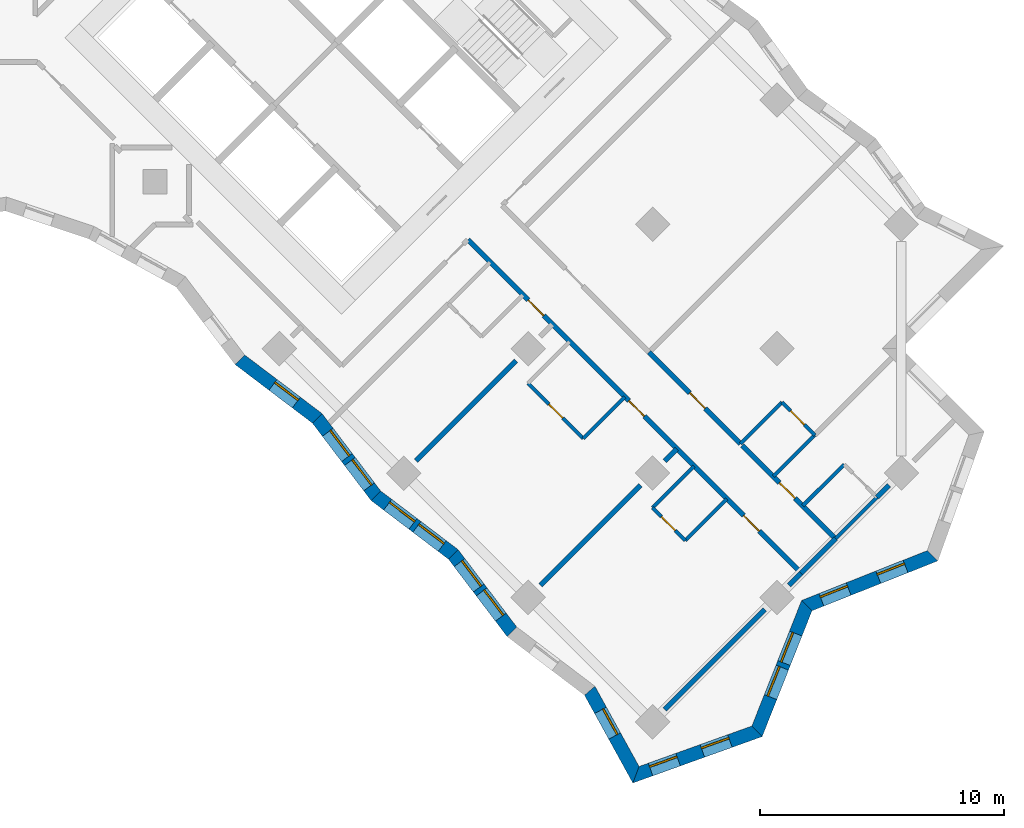
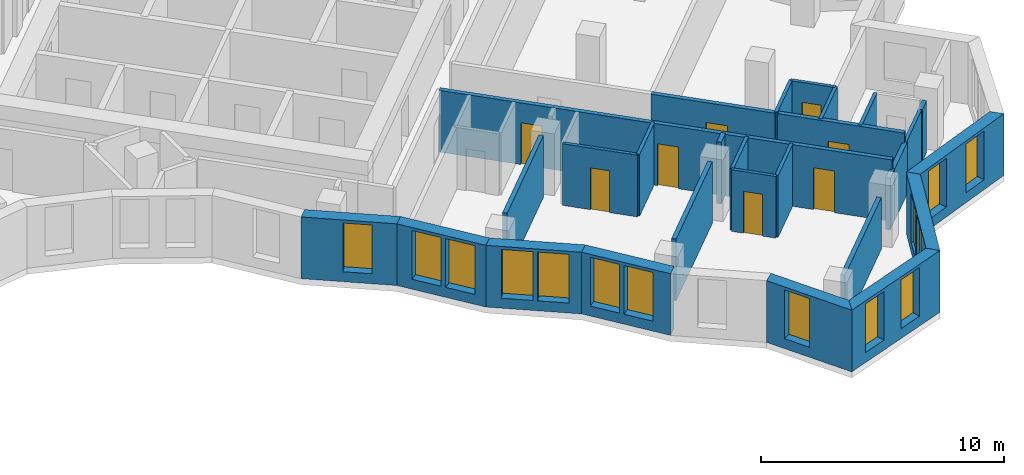
# One storey, part 8 of 13: 28 walls, 14 windows, 8 doors, 22 openings.
"""IFC4 building model written with IfcOpenShell, lengths in metres."""

from ifc_helpers import new_model, si_unit, direction, frame, frame_2d, origin, place, context, subcontext, project, spatial, polyline, rectangle, outline, extrude, material, layer, layer_set, type_object, element, fill, save


model = new_model("IFC4")

# Units and contexts
model_context = context("Model", 3, precision=1e-05, world=origin(), true_north=direction((0.0, 1.0)))
body_context = subcontext(model_context, "Body", "Model", "MODEL_VIEW")
ifc_project = project(units=[si_unit("LENGTHUNIT", "METRE"), si_unit("AREAUNIT", "SQUARE_METRE"), si_unit("VOLUMEUNIT", "CUBIC_METRE"), si_unit("PLANEANGLEUNIT", "RADIAN"), si_unit("MASSUNIT", "GRAM", prefix="KILO")], contexts=[model_context])

# Site, building, storey
site_placement = place(None, origin())
site = spatial("IfcSite", under=ifc_project, at=site_placement, CompositionType="ELEMENT")
building_placement = place(site_placement, origin())
building = spatial("IfcBuilding", under=site, at=building_placement, Name="Windrow Commons", CompositionType="ELEMENT")
storey_placement = place(building_placement, frame((0.0, 0.0, 108.4)))
storey = spatial("IfcBuildingStorey", under=building, at=storey_placement, Name="L29", CompositionType="ELEMENT", Elevation=108.4)

# Wall, openings, windows
ifc_material_1 = material(Name="Brick masonry, red clay brick", Category="masonry")
ifc_layer_1 = layer(ifc_material_1, 0.55)
ifc_layer_set_1 = layer_set([ifc_layer_1], Name="Brick facade wall 550")
wall_type_1 = type_object("IfcWallType", Name="Brick facade wall 550", PredefinedType="SOLIDWALL", material=ifc_layer_set_1)
wall_1_placement = place(storey_placement, frame((98.885, 18.9218, 0.0), z_axis=(0.0, 0.0, 1.0), x_axis=(0.941256607, 0.3376921672, 0.0)))
wall_1 = element("IfcWall", 1, at=wall_1_placement, inside=storey, type_object=wall_type_1, Name="Brick facade wall L29 1", PredefinedType="SOLIDWALL", context=body_context, shape_type="SweptSolid", body=[
    extrude(outline(polyline([(-0.2345, -0.275), (5.3889, -0.275), (5.1402, 0.275), (0.2345, 0.275), (-0.2345, -0.275)])), origin(), (0.0, 0.0, 1.0), 3.1),
])
opening_1_placement = place(wall_1_placement, frame((0.6345, 0.0, 0.5)))
opening_1 = element("IfcOpeningElement", 2, at=opening_1_placement, cuts=wall_1, Name="Opening W7D", PredefinedType="OPENING", context=body_context, shape_type="SweptSolid", body=[
    extrude(rectangle(XDim=1.2, YDim=2.45, at=frame_2d((0.6, 1.225))), frame((0.0, 0.285, 0.0), z_axis=(0.0, -1.0, 0.0), x_axis=(1.0, 0.0, 0.0)), (0.0, 0.0, 1.0), 0.57),
])
opening_2_placement = place(wall_1_placement, frame((2.8873, 0.0, 0.5)))
opening_2 = element("IfcOpeningElement", 3, at=opening_2_placement, cuts=wall_1, Name="Opening W7D", PredefinedType="OPENING", context=body_context, shape_type="SweptSolid", body=[
    extrude(rectangle(XDim=1.2, YDim=2.45, at=frame_2d((0.6, 1.225))), frame((0.0, 0.285, 0.0), z_axis=(0.0, -1.0, 0.0), x_axis=(1.0, 0.0, 0.0)), (0.0, 0.0, 1.0), 0.57),
])
ifc_material_2 = material(Name="Clear float glass in anodised aluminium frame", Category="aluminium")
window_type_1 = type_object("IfcWindowType", Name="Window W7 notch 1200x2450", PartitioningType="SINGLE_PANEL", PredefinedType="WINDOW", material=ifc_material_2)
window_1_placement = place(opening_1_placement, origin())
window_1 = element("IfcWindow", 4, at=window_1_placement, inside=storey, type_object=window_type_1, Name="Window L29 1.1", OverallHeight=2.45, OverallWidth=1.2, PartitioningType="SINGLE_PANEL", PredefinedType="WINDOW", context=body_context, shape_type="SweptSolid", body=[
    extrude(rectangle(XDim=1.2, YDim=2.45, at=frame_2d((0.6, 1.225))), frame((0.0, 0.155, 0.0), z_axis=(0.0, -1.0, 0.0), x_axis=(1.0, 0.0, 0.0)), (0.0, 0.0, 1.0), 0.06),
])
fill(opening_1, window_1)
window_2_placement = place(opening_2_placement, origin())
window_2 = element("IfcWindow", 5, at=window_2_placement, inside=storey, type_object=window_type_1, Name="Window L29 1.2", OverallHeight=2.45, OverallWidth=1.2, PartitioningType="SINGLE_PANEL", PredefinedType="WINDOW", context=body_context, shape_type="SweptSolid", body=[
    extrude(rectangle(XDim=1.2, YDim=2.45, at=frame_2d((0.6, 1.225))), frame((0.0, 0.155, 0.0), z_axis=(0.0, -1.0, 0.0), x_axis=(1.0, 0.0, 0.0)), (0.0, 0.0, 1.0), 0.06),
])
fill(opening_2, window_2)

wall_2_placement = place(storey_placement, frame((103.8403, 20.6996, 0.0), z_axis=(0.0, 0.0, 1.0), x_axis=(0.368236509, 0.9297321514, 0.0)))
wall_2 = element("IfcWall", 6, at=wall_2_placement, inside=storey, type_object=wall_type_1, Name="Brick facade wall L29 2", PredefinedType="SOLIDWALL", context=body_context, shape_type="SweptSolid", body=[
    extrude(outline(polyline([(-0.1243, -0.275), (5.4166, -0.275), (5.6545, 0.275), (0.1243, 0.275), (-0.1243, -0.275)])), origin(), (0.0, 0.0, 1.0), 3.1),
])
opening_3_placement = place(wall_2_placement, frame((1.5045, 0.0, 0.5)))
opening_3 = element("IfcOpeningElement", 7, at=opening_3_placement, cuts=wall_2, Name="Opening W1P", PredefinedType="OPENING", context=body_context, shape_type="SweptSolid", body=[
    extrude(rectangle(XDim=1.3, YDim=2.45, at=frame_2d((0.65, 1.225))), frame((0.0, 0.285, 0.0), z_axis=(0.0, -1.0, 0.0), x_axis=(1.0, 0.0, 0.0)), (0.0, 0.0, 1.0), 0.57),
])
opening_4_placement = place(wall_2_placement, frame((3.0045, 0.0, 0.5)))
opening_4 = element("IfcOpeningElement", 8, at=opening_4_placement, cuts=wall_2, Name="Opening W1P", PredefinedType="OPENING", context=body_context, shape_type="SweptSolid", body=[
    extrude(rectangle(XDim=1.3, YDim=2.45, at=frame_2d((0.65, 1.225))), frame((0.0, 0.285, 0.0), z_axis=(0.0, -1.0, 0.0), x_axis=(1.0, 0.0, 0.0)), (0.0, 0.0, 1.0), 0.57),
])
ifc_material_3 = material(Name="Clear float glass in anodised aluminium frame", Category="aluminium")
window_type_2 = type_object("IfcWindowType", Name="Window W1P pair 1300x2450", PartitioningType="SINGLE_PANEL", PredefinedType="WINDOW", material=ifc_material_3)
window_3_placement = place(opening_3_placement, origin())
window_3 = element("IfcWindow", 9, at=window_3_placement, inside=storey, type_object=window_type_2, Name="Window L29 2.1A", OverallHeight=2.45, OverallWidth=1.3, PartitioningType="SINGLE_PANEL", PredefinedType="WINDOW", context=body_context, shape_type="SweptSolid", body=[
    extrude(rectangle(XDim=1.3, YDim=2.45, at=frame_2d((0.65, 1.225))), frame((0.0, 0.155, 0.0), z_axis=(0.0, -1.0, 0.0), x_axis=(1.0, 0.0, 0.0)), (0.0, 0.0, 1.0), 0.06),
])
fill(opening_3, window_3)
window_4_placement = place(opening_4_placement, origin())
window_4 = element("IfcWindow", 10, at=window_4_placement, inside=storey, type_object=window_type_2, Name="Window L29 2.1B", OverallHeight=2.45, OverallWidth=1.3, PartitioningType="SINGLE_PANEL", PredefinedType="WINDOW", context=body_context, shape_type="SweptSolid", body=[
    extrude(rectangle(XDim=1.3, YDim=2.45, at=frame_2d((0.65, 1.225))), frame((0.0, 0.155, 0.0), z_axis=(0.0, -1.0, 0.0), x_axis=(1.0, 0.0, 0.0)), (0.0, 0.0, 1.0), 0.06),
])
fill(opening_4, window_4)

wall_3_placement = place(storey_placement, frame((105.8787, 25.8462, 0.0), z_axis=(0.0, 0.0, 1.0), x_axis=(0.9297321514, 0.368236509, 0.0)))
wall_3 = element("IfcWall", 11, at=wall_3_placement, inside=storey, type_object=wall_type_1, Name="Brick facade wall L29 3", PredefinedType="SOLIDWALL", context=body_context, shape_type="SweptSolid", body=[
    extrude(outline(polyline([(0.119, -0.275), (5.6599, -0.275), (5.4112, 0.275), (-0.119, 0.275), (0.119, -0.275)])), origin(), (0.0, 0.0, 1.0), 3.1),
])
opening_5_placement = place(wall_3_placement, frame((0.6408, 0.0, 0.5)))
opening_5 = element("IfcOpeningElement", 12, at=opening_5_placement, cuts=wall_3, Name="Opening W7D", PredefinedType="OPENING", context=body_context, shape_type="SweptSolid", body=[
    extrude(rectangle(XDim=1.2, YDim=2.45, at=frame_2d((0.6, 1.225))), frame((0.0, 0.285, 0.0), z_axis=(0.0, -1.0, 0.0), x_axis=(1.0, 0.0, 0.0)), (0.0, 0.0, 1.0), 0.57),
])
opening_6_placement = place(wall_3_placement, frame((3.1464, 0.0, 0.5)))
opening_6 = element("IfcOpeningElement", 13, at=opening_6_placement, cuts=wall_3, Name="Opening W7D", PredefinedType="OPENING", context=body_context, shape_type="SweptSolid", body=[
    extrude(rectangle(XDim=1.2, YDim=2.45, at=frame_2d((0.6, 1.225))), frame((0.0, 0.285, 0.0), z_axis=(0.0, -1.0, 0.0), x_axis=(1.0, 0.0, 0.0)), (0.0, 0.0, 1.0), 0.57),
])
window_5_placement = place(opening_5_placement, origin())
window_5 = element("IfcWindow", 14, at=window_5_placement, inside=storey, type_object=window_type_1, Name="Window L29 3.1", OverallHeight=2.45, OverallWidth=1.2, PartitioningType="SINGLE_PANEL", PredefinedType="WINDOW", context=body_context, shape_type="SweptSolid", body=[
    extrude(rectangle(XDim=1.2, YDim=2.45, at=frame_2d((0.6, 1.225))), frame((0.0, 0.155, 0.0), z_axis=(0.0, -1.0, 0.0), x_axis=(1.0, 0.0, 0.0)), (0.0, 0.0, 1.0), 0.06),
])
fill(opening_5, window_5)
window_6_placement = place(opening_6_placement, origin())
window_6 = element("IfcWindow", 15, at=window_6_placement, inside=storey, type_object=window_type_1, Name="Window L29 3.2", OverallHeight=2.45, OverallWidth=1.2, PartitioningType="SINGLE_PANEL", PredefinedType="WINDOW", context=body_context, shape_type="SweptSolid", body=[
    extrude(rectangle(XDim=1.2, YDim=2.45, at=frame_2d((0.6, 1.225))), frame((0.0, 0.155, 0.0), z_axis=(0.0, -1.0, 0.0), x_axis=(1.0, 0.0, 0.0)), (0.0, 0.0, 1.0), 0.06),
])
fill(opening_6, window_6)

# Wall, opening, window
wall_4_placement = place(storey_placement, frame((82.672, 35.91, 0.0), z_axis=(0.0, 0.0, 1.0), x_axis=(0.7969251465, -0.6040780669, 0.0)))
wall_4 = element("IfcWall", 16, at=wall_4_placement, inside=storey, type_object=wall_type_1, Name="Brick facade wall L29 54", PredefinedType="SOLIDWALL", context=body_context, shape_type="SweptSolid", body=[
    extrude(outline(polyline([(-0.0379, -0.275), (3.9368, -0.275), (4.0126, 0.275), (0.0379, 0.275), (-0.0379, -0.275)])), origin(), (0.0, 0.0, 1.0), 3.1),
])
opening_7_placement = place(wall_4_placement, frame((1.704, 0.0, 0.5)))
opening_7 = element("IfcOpeningElement", 17, at=opening_7_placement, cuts=wall_4, Name="Opening W7D", PredefinedType="OPENING", context=body_context, shape_type="SweptSolid", body=[
    extrude(rectangle(XDim=1.2, YDim=2.45, at=frame_2d((0.6, 1.225))), frame((0.0, 0.285, 0.0), z_axis=(0.0, -1.0, 0.0), x_axis=(1.0, 0.0, 0.0)), (0.0, 0.0, 1.0), 0.57),
])
window_7_placement = place(opening_7_placement, origin())
window_7 = element("IfcWindow", 18, at=window_7_placement, inside=storey, type_object=window_type_1, Name="Window L29 54.1", OverallHeight=2.45, OverallWidth=1.2, PartitioningType="SINGLE_PANEL", PredefinedType="WINDOW", context=body_context, shape_type="SweptSolid", body=[
    extrude(rectangle(XDim=1.2, YDim=2.45, at=frame_2d((0.6, 1.225))), frame((0.0, 0.155, 0.0), z_axis=(0.0, -1.0, 0.0), x_axis=(1.0, 0.0, 0.0)), (0.0, 0.0, 1.0), 0.06),
])
fill(opening_7, window_7)

# Wall, openings, windows
wall_5_placement = place(storey_placement, frame((85.8395, 33.509, 0.0), z_axis=(0.0, 0.0, 1.0), x_axis=(0.6040819333, -0.7969222157, 0.0)))
wall_5 = element("IfcWall", 19, at=wall_5_placement, inside=storey, type_object=wall_type_1, Name="Brick facade wall L29 55", PredefinedType="SOLIDWALL", context=body_context, shape_type="SweptSolid", body=[
    extrude(outline(polyline([(0.0379, -0.275), (4.0126, -0.275), (3.9368, 0.275), (-0.0379, 0.275), (0.0379, -0.275)])), origin(), (0.0, 0.0, 1.0), 3.1),
])
opening_8_placement = place(wall_5_placement, frame((0.7147, 0.0, 0.5)))
opening_8 = element("IfcOpeningElement", 20, at=opening_8_placement, cuts=wall_5, Name="Opening W1P", PredefinedType="OPENING", context=body_context, shape_type="SweptSolid", body=[
    extrude(rectangle(XDim=1.3, YDim=2.45, at=frame_2d((0.65, 1.225))), frame((0.0, 0.285, 0.0), z_axis=(0.0, -1.0, 0.0), x_axis=(1.0, 0.0, 0.0)), (0.0, 0.0, 1.0), 0.57),
])
opening_9_placement = place(wall_5_placement, frame((2.2147, 0.0, 0.5)))
opening_9 = element("IfcOpeningElement", 21, at=opening_9_placement, cuts=wall_5, Name="Opening W1P", PredefinedType="OPENING", context=body_context, shape_type="SweptSolid", body=[
    extrude(rectangle(XDim=1.3, YDim=2.45, at=frame_2d((0.65, 1.225))), frame((0.0, 0.285, 0.0), z_axis=(0.0, -1.0, 0.0), x_axis=(1.0, 0.0, 0.0)), (0.0, 0.0, 1.0), 0.57),
])
window_8_placement = place(opening_8_placement, origin())
window_8 = element("IfcWindow", 22, at=window_8_placement, inside=storey, type_object=window_type_2, Name="Window L29 55.1A", OverallHeight=2.45, OverallWidth=1.3, PartitioningType="SINGLE_PANEL", PredefinedType="WINDOW", context=body_context, shape_type="SweptSolid", body=[
    extrude(rectangle(XDim=1.3, YDim=2.45, at=frame_2d((0.65, 1.225))), frame((0.0, 0.155, 0.0), z_axis=(0.0, -1.0, 0.0), x_axis=(1.0, 0.0, 0.0)), (0.0, 0.0, 1.0), 0.06),
])
fill(opening_8, window_8)
window_9_placement = place(opening_9_placement, origin())
window_9 = element("IfcWindow", 23, at=window_9_placement, inside=storey, type_object=window_type_2, Name="Window L29 55.1B", OverallHeight=2.45, OverallWidth=1.3, PartitioningType="SINGLE_PANEL", PredefinedType="WINDOW", context=body_context, shape_type="SweptSolid", body=[
    extrude(rectangle(XDim=1.3, YDim=2.45, at=frame_2d((0.65, 1.225))), frame((0.0, 0.155, 0.0), z_axis=(0.0, -1.0, 0.0), x_axis=(1.0, 0.0, 0.0)), (0.0, 0.0, 1.0), 0.06),
])
fill(opening_9, window_9)

wall_6_placement = place(storey_placement, frame((88.2406, 30.3414, 0.0), z_axis=(0.0, 0.0, 1.0), x_axis=(0.7969251465, -0.6040780669, 0.0)))
wall_6 = element("IfcWall", 24, at=wall_6_placement, inside=storey, type_object=wall_type_1, Name="Brick facade wall L29 56", PredefinedType="SOLIDWALL", context=body_context, shape_type="SweptSolid", body=[
    extrude(outline(polyline([(-0.0379, -0.275), (3.9368, -0.275), (4.0126, 0.275), (0.0379, 0.275), (-0.0379, -0.275)])), origin(), (0.0, 0.0, 1.0), 3.1),
])
opening_10_placement = place(wall_6_placement, frame((0.6063, 0.0, 0.5)))
opening_10 = element("IfcOpeningElement", 25, at=opening_10_placement, cuts=wall_6, Name="Opening W1P", PredefinedType="OPENING", context=body_context, shape_type="SweptSolid", body=[
    extrude(rectangle(XDim=1.3, YDim=2.45, at=frame_2d((0.65, 1.225))), frame((0.0, 0.285, 0.0), z_axis=(0.0, -1.0, 0.0), x_axis=(1.0, 0.0, 0.0)), (0.0, 0.0, 1.0), 0.57),
])
opening_11_placement = place(wall_6_placement, frame((2.1063, 0.0, 0.5)))
opening_11 = element("IfcOpeningElement", 26, at=opening_11_placement, cuts=wall_6, Name="Opening W1P", PredefinedType="OPENING", context=body_context, shape_type="SweptSolid", body=[
    extrude(rectangle(XDim=1.3, YDim=2.45, at=frame_2d((0.65, 1.225))), frame((0.0, 0.285, 0.0), z_axis=(0.0, -1.0, 0.0), x_axis=(1.0, 0.0, 0.0)), (0.0, 0.0, 1.0), 0.57),
])
window_10_placement = place(opening_10_placement, origin())
window_10 = element("IfcWindow", 27, at=window_10_placement, inside=storey, type_object=window_type_2, Name="Window L29 56.1A", OverallHeight=2.45, OverallWidth=1.3, PartitioningType="SINGLE_PANEL", PredefinedType="WINDOW", context=body_context, shape_type="SweptSolid", body=[
    extrude(rectangle(XDim=1.3, YDim=2.45, at=frame_2d((0.65, 1.225))), frame((0.0, 0.155, 0.0), z_axis=(0.0, -1.0, 0.0), x_axis=(1.0, 0.0, 0.0)), (0.0, 0.0, 1.0), 0.06),
])
fill(opening_10, window_10)
window_11_placement = place(opening_11_placement, origin())
window_11 = element("IfcWindow", 28, at=window_11_placement, inside=storey, type_object=window_type_2, Name="Window L29 56.1B", OverallHeight=2.45, OverallWidth=1.3, PartitioningType="SINGLE_PANEL", PredefinedType="WINDOW", context=body_context, shape_type="SweptSolid", body=[
    extrude(rectangle(XDim=1.3, YDim=2.45, at=frame_2d((0.65, 1.225))), frame((0.0, 0.155, 0.0), z_axis=(0.0, -1.0, 0.0), x_axis=(1.0, 0.0, 0.0)), (0.0, 0.0, 1.0), 0.06),
])
fill(opening_11, window_11)

wall_7_placement = place(storey_placement, frame((91.4081, 27.9404, 0.0), z_axis=(0.0, 0.0, 1.0), x_axis=(0.604094045, -0.7969130347, 0.0)))
wall_7 = element("IfcWall", 29, at=wall_7_placement, inside=storey, type_object=wall_type_1, Name="Brick facade wall L29 57", PredefinedType="SOLIDWALL", context=body_context, shape_type="SweptSolid", body=[
    extrude(outline(polyline([(0.0379, -0.275), (4.0126, -0.275), (3.9368, 0.275), (-0.0379, 0.275), (0.0379, -0.275)])), origin(), (0.0, 0.0, 1.0), 3.1),
])
opening_12_placement = place(wall_7_placement, frame((0.4225, 0.0, 0.5)))
opening_12 = element("IfcOpeningElement", 30, at=opening_12_placement, cuts=wall_7, Name="Opening W1P", PredefinedType="OPENING", context=body_context, shape_type="SweptSolid", body=[
    extrude(rectangle(XDim=1.3, YDim=2.45, at=frame_2d((0.65, 1.225))), frame((0.0, 0.285, 0.0), z_axis=(0.0, -1.0, 0.0), x_axis=(1.0, 0.0, 0.0)), (0.0, 0.0, 1.0), 0.57),
])
opening_13_placement = place(wall_7_placement, frame((1.9225, 0.0, 0.5)))
opening_13 = element("IfcOpeningElement", 31, at=opening_13_placement, cuts=wall_7, Name="Opening W1P", PredefinedType="OPENING", context=body_context, shape_type="SweptSolid", body=[
    extrude(rectangle(XDim=1.3, YDim=2.45, at=frame_2d((0.65, 1.225))), frame((0.0, 0.285, 0.0), z_axis=(0.0, -1.0, 0.0), x_axis=(1.0, 0.0, 0.0)), (0.0, 0.0, 1.0), 0.57),
])
window_12_placement = place(opening_12_placement, origin())
window_12 = element("IfcWindow", 32, at=window_12_placement, inside=storey, type_object=window_type_2, Name="Window L29 57.1A", OverallHeight=2.45, OverallWidth=1.3, PartitioningType="SINGLE_PANEL", PredefinedType="WINDOW", context=body_context, shape_type="SweptSolid", body=[
    extrude(rectangle(XDim=1.3, YDim=2.45, at=frame_2d((0.65, 1.225))), frame((0.0, 0.155, 0.0), z_axis=(0.0, -1.0, 0.0), x_axis=(1.0, 0.0, 0.0)), (0.0, 0.0, 1.0), 0.06),
])
fill(opening_12, window_12)
window_13_placement = place(opening_13_placement, origin())
window_13 = element("IfcWindow", 33, at=window_13_placement, inside=storey, type_object=window_type_2, Name="Window L29 57.1B", OverallHeight=2.45, OverallWidth=1.3, PartitioningType="SINGLE_PANEL", PredefinedType="WINDOW", context=body_context, shape_type="SweptSolid", body=[
    extrude(rectangle(XDim=1.3, YDim=2.45, at=frame_2d((0.65, 1.225))), frame((0.0, 0.155, 0.0), z_axis=(0.0, -1.0, 0.0), x_axis=(1.0, 0.0, 0.0)), (0.0, 0.0, 1.0), 0.06),
])
fill(opening_13, window_13)

# Wall, opening, window
wall_8_placement = place(storey_placement, frame((96.9931, 22.3594, 0.0), z_axis=(0.0, 0.0, 1.0), x_axis=(0.4821574431, -0.876084585, 0.0)))
wall_8 = element("IfcWall", 34, at=wall_8_placement, inside=storey, type_object=wall_type_1, Name="Brick facade wall L29 59", PredefinedType="SOLIDWALL", context=body_context, shape_type="SweptSolid", body=[
    extrude(outline(polyline([(0.0585, -0.275), (4.1583, -0.275), (3.6893, 0.275), (-0.0585, 0.275), (0.0585, -0.275)])), origin(), (0.0, 0.0, 1.0), 3.1),
])
opening_14_placement = place(wall_8_placement, frame((0.9146, 0.0, 0.5)))
opening_14 = element("IfcOpeningElement", 35, at=opening_14_placement, cuts=wall_8, Name="Opening W7D", PredefinedType="OPENING", context=body_context, shape_type="SweptSolid", body=[
    extrude(rectangle(XDim=1.2, YDim=2.45, at=frame_2d((0.6, 1.225))), frame((0.0, 0.285, 0.0), z_axis=(0.0, -1.0, 0.0), x_axis=(1.0, 0.0, 0.0)), (0.0, 0.0, 1.0), 0.57),
])
window_14_placement = place(opening_14_placement, origin())
window_14 = element("IfcWindow", 36, at=window_14_placement, inside=storey, type_object=window_type_1, Name="Window L29 59.1", OverallHeight=2.45, OverallWidth=1.2, PartitioningType="SINGLE_PANEL", PredefinedType="WINDOW", context=body_context, shape_type="SweptSolid", body=[
    extrude(rectangle(XDim=1.2, YDim=2.45, at=frame_2d((0.6, 1.225))), frame((0.0, 0.155, 0.0), z_axis=(0.0, -1.0, 0.0), x_axis=(1.0, 0.0, 0.0)), (0.0, 0.0, 1.0), 0.06),
])
fill(opening_14, window_14)

# Wall, openings, doors
ifc_material_4 = material(Name="Blockwork partition", Category="masonry")
ifc_layer_2 = layer(ifc_material_4, 0.2)
ifc_layer_set_2 = layer_set([ifc_layer_2], Name="IW-CORRIDOR-200")
wall_type_2 = type_object("IfcWallType", Name="IW-CORRIDOR-200", PredefinedType="PARTITIONING", material=ifc_layer_set_2)
wall_9_placement = place(storey_placement, frame((92.0035, 40.8195, 0.0), z_axis=(0.0, 0.0, 1.0), x_axis=(0.7071067812, -0.7071067812, 0.0)))
wall_9 = element("IfcWall", 37, at=wall_9_placement, inside=storey, type_object=wall_type_2, Name="W-L29-W002", PredefinedType="PARTITIONING", context=body_context, shape_type="SweptSolid", body=[
    extrude(rectangle(XDim=19.2984, YDim=0.2, at=frame_2d((9.6492, 0.0))), origin(), (0.0, 0.0, 1.0), 3.1),
])
opening_15_placement = place(wall_9_placement, frame((3.4886, 0.0, 0.0)))
opening_15 = element("IfcOpeningElement", 38, at=opening_15_placement, cuts=wall_9, Name="Opening D109S", PredefinedType="OPENING", context=body_context, shape_type="SweptSolid", body=[
    extrude(rectangle(XDim=0.9, YDim=2.1, at=frame_2d((0.45, 1.05))), frame((0.0, 0.11, 0.0), z_axis=(0.0, -1.0, 0.0), x_axis=(1.0, 0.0, 0.0)), (0.0, 0.0, 1.0), 0.22),
])
opening_16_placement = place(wall_9_placement, frame((9.3186, 0.0, 0.0)))
opening_16 = element("IfcOpeningElement", 39, at=opening_16_placement, cuts=wall_9, Name="Opening D109F", PredefinedType="OPENING", context=body_context, shape_type="SweptSolid", body=[
    extrude(rectangle(XDim=0.9, YDim=2.1, at=frame_2d((0.45, 1.05))), frame((0.0, 0.11, 0.0), z_axis=(0.0, -1.0, 0.0), x_axis=(1.0, 0.0, 0.0)), (0.0, 0.0, 1.0), 0.22),
])
opening_17_placement = place(wall_9_placement, frame((15.9611, 0.0, 0.0)))
opening_17 = element("IfcOpeningElement", 40, at=opening_17_placement, cuts=wall_9, Name="Opening D109F", PredefinedType="OPENING", context=body_context, shape_type="SweptSolid", body=[
    extrude(rectangle(XDim=0.9, YDim=2.1, at=frame_2d((0.45, 1.05))), frame((0.0, 0.11, 0.0), z_axis=(0.0, -1.0, 0.0), x_axis=(1.0, 0.0, 0.0)), (0.0, 0.0, 1.0), 0.22),
])
ifc_material_5 = material(Name="Timber door leaf", Category="wood")
door_type_1 = type_object("IfcDoorType", Name="DT-BEDROOM-900", OperationType="SINGLE_SWING_LEFT", PredefinedType="DOOR", material=ifc_material_5)
door_1_placement = place(opening_15_placement, origin())
door_1 = element("IfcDoor", 41, at=door_1_placement, inside=storey, type_object=door_type_1, Name="D-L29-D047", OperationType="SINGLE_SWING_LEFT", OverallHeight=2.1, OverallWidth=0.9, PredefinedType="DOOR", context=body_context, shape_type="SweptSolid", body=[
    extrude(rectangle(XDim=0.9, YDim=2.1, at=frame_2d((0.45, 1.05))), frame((0.0, 0.025, 0.0), z_axis=(0.0, -1.0, 0.0), x_axis=(1.0, 0.0, 0.0)), (0.0, 0.0, 1.0), 0.05),
])
fill(opening_15, door_1)
door_2_placement = place(opening_16_placement, origin())
door_2 = element("IfcDoor", 42, at=door_2_placement, inside=storey, type_object=door_type_1, Name="D-L29-D049", OperationType="SINGLE_SWING_RIGHT", OverallHeight=2.1, OverallWidth=0.9, PredefinedType="DOOR", context=body_context, shape_type="SweptSolid", body=[
    extrude(rectangle(XDim=0.9, YDim=2.1, at=frame_2d((0.45, 1.05))), frame((0.0, 0.025, 0.0), z_axis=(0.0, -1.0, 0.0), x_axis=(1.0, 0.0, 0.0)), (0.0, 0.0, 1.0), 0.05),
])
fill(opening_16, door_2)
door_3_placement = place(opening_17_placement, origin())
door_3 = element("IfcDoor", 43, at=door_3_placement, inside=storey, type_object=door_type_1, Name="D-L29-D051", OperationType="SINGLE_SWING_RIGHT", OverallHeight=2.1, OverallWidth=0.9, PredefinedType="DOOR", context=body_context, shape_type="SweptSolid", body=[
    extrude(rectangle(XDim=0.9, YDim=2.1, at=frame_2d((0.45, 1.05))), frame((0.0, 0.025, 0.0), z_axis=(0.0, -1.0, 0.0), x_axis=(1.0, 0.0, 0.0)), (0.0, 0.0, 1.0), 0.05),
])
fill(opening_17, door_3)

# Wall, opening, door
wall_10_placement = place(storey_placement, frame((103.2386, 32.3986, 0.0), z_axis=(0.0, 0.0, 1.0), x_axis=(0.7071067812, -0.7071067812, 0.0)))
wall_10 = element("IfcWall", 44, at=wall_10_placement, inside=storey, type_object=wall_type_2, Name="W-L29-W035", PredefinedType="PARTITIONING", context=body_context, shape_type="SweptSolid", body=[
    extrude(rectangle(XDim=5.3995, YDim=0.2, at=frame_2d((2.6997, 0.0))), origin(), (0.0, 0.0, 1.0), 3.1),
])
opening_18_placement = place(wall_10_placement, frame((2.1497, 0.0, 0.0)))
opening_18 = element("IfcOpeningElement", 45, at=opening_18_placement, cuts=wall_10, Name="Opening D109S", PredefinedType="OPENING", context=body_context, shape_type="SweptSolid", body=[
    extrude(rectangle(XDim=0.9, YDim=2.1, at=frame_2d((0.45, 1.05))), frame((0.0, 0.11, 0.0), z_axis=(0.0, -1.0, 0.0), x_axis=(1.0, 0.0, 0.0)), (0.0, 0.0, 1.0), 0.22),
])
door_4_placement = place(opening_18_placement, origin())
door_4 = element("IfcDoor", 46, at=door_4_placement, inside=storey, type_object=door_type_1, Name="D-L29-D053", OperationType="SINGLE_SWING_RIGHT", OverallHeight=2.1, OverallWidth=0.9, PredefinedType="DOOR", context=body_context, shape_type="SweptSolid", body=[
    extrude(rectangle(XDim=0.9, YDim=2.1, at=frame_2d((0.45, 1.05))), frame((0.0, 0.025, 0.0), z_axis=(0.0, -1.0, 0.0), x_axis=(1.0, 0.0, 0.0)), (0.0, 0.0, 1.0), 0.05),
])
fill(opening_18, door_4)

wall_11_placement = place(storey_placement, frame((103.1676, 32.4696, 0.0), z_axis=(0.0, 0.0, 1.0), x_axis=(-0.7067858967, 0.7074275201, 0.0)))
wall_11 = element("IfcWall", 47, at=wall_11_placement, inside=storey, type_object=wall_type_2, Name="W-L29-W036", PredefinedType="PARTITIONING", context=body_context, shape_type="SweptSolid", body=[
    extrude(rectangle(XDim=5.2991, YDim=0.2, at=frame_2d((2.6496, 0.0))), origin(), (0.0, 0.0, 1.0), 3.1),
])
opening_19_placement = place(wall_11_placement, frame((2.0433, 0.0, 0.0)))
opening_19 = element("IfcOpeningElement", 48, at=opening_19_placement, cuts=wall_11, Name="Opening D109F", PredefinedType="OPENING", context=body_context, shape_type="SweptSolid", body=[
    extrude(rectangle(XDim=0.9, YDim=2.1, at=frame_2d((0.45, 1.05))), frame((0.0, 0.11, 0.0), z_axis=(0.0, -1.0, 0.0), x_axis=(1.0, 0.0, 0.0)), (0.0, 0.0, 1.0), 0.22),
])
door_5_placement = place(opening_19_placement, origin())
door_5 = element("IfcDoor", 49, at=door_5_placement, inside=storey, type_object=door_type_1, Name="D-L29-D044", OperationType="SINGLE_SWING_RIGHT", OverallHeight=2.1, OverallWidth=0.9, PredefinedType="DOOR", context=body_context, shape_type="SweptSolid", body=[
    extrude(rectangle(XDim=0.9, YDim=2.1, at=frame_2d((0.45, 1.05))), frame((0.0, 0.025, 0.0), z_axis=(0.0, -1.0, 0.0), x_axis=(1.0, 0.0, 0.0)), (0.0, 0.0, 1.0), 0.05),
])
fill(opening_19, door_5)

# Wall
wall_12_placement = place(storey_placement, frame((105.6454, 27.1706, 0.0), z_axis=(0.0, 0.0, 1.0), x_axis=(0.7071067812, 0.7071067812, 0.0)))
element("IfcWall", 50, at=wall_12_placement, inside=storey, type_object=wall_type_2, Name="W-L29-W111", PredefinedType="PARTITIONING", context=body_context, shape_type="SweptSolid", body=[
    extrude(rectangle(XDim=1.9997, YDim=0.2, at=frame_2d((0.9999, 0.0))), origin(), (0.0, 0.0, 1.0), 2.6),
])

# Wall, opening, door
ifc_material_6 = material(Name="Blockwork partition", Category="masonry")
ifc_layer_3 = layer(ifc_material_6, 0.15)
ifc_layer_set_3 = layer_set([ifc_layer_3], Name="IW-ENSUITE-150")
wall_type_3 = type_object("IfcWallType", Name="IW-ENSUITE-150", PredefinedType="PARTITIONING", material=ifc_layer_set_3)
wall_13_placement = place(storey_placement, frame((94.4713, 34.9453, 0.0), z_axis=(0.0, 0.0, 1.0), x_axis=(0.7067942478, -0.7074191764, 0.0)))
wall_13 = element("IfcWall", 51, at=wall_13_placement, inside=storey, type_object=wall_type_3, Name="W-L29-W057", PredefinedType="PARTITIONING", context=body_context, shape_type="SweptSolid", body=[
    extrude(rectangle(XDim=3.2004, YDim=0.15, at=frame_2d((1.6002, 0.0))), origin(), (0.0, 0.0, 1.0), 3.1),
])
opening_20_placement = place(wall_13_placement, frame((1.2061, 0.0, 0.0)))
opening_20 = element("IfcOpeningElement", 52, at=opening_20_placement, cuts=wall_13, Name="Opening D208N", PredefinedType="OPENING", context=body_context, shape_type="SweptSolid", body=[
    extrude(rectangle(XDim=0.8, YDim=2.1, at=frame_2d((0.4, 1.05))), frame((0.0, 0.085, 0.0), z_axis=(0.0, -1.0, 0.0), x_axis=(1.0, 0.0, 0.0)), (0.0, 0.0, 1.0), 0.17),
])
ifc_material_7 = material(Name="Timber door leaf", Category="wood")
door_type_2 = type_object("IfcDoorType", Name="DT-ENSUITE-800", OperationType="SINGLE_SWING_LEFT", PredefinedType="DOOR", material=ifc_material_7)
door_6_placement = place(opening_20_placement, origin())
door_6 = element("IfcDoor", 53, at=door_6_placement, inside=storey, type_object=door_type_2, Name="D-L29-D050", OperationType="SINGLE_SWING_RIGHT", OverallHeight=2.1, OverallWidth=0.8, PredefinedType="DOOR", context=body_context, shape_type="SweptSolid", body=[
    extrude(rectangle(XDim=0.8, YDim=2.1, at=frame_2d((0.4, 1.05))), frame((0.0, 0.025, 0.0), z_axis=(0.0, -1.0, 0.0), x_axis=(1.0, 0.0, 0.0)), (0.0, 0.0, 1.0), 0.05),
])
fill(opening_20, door_6)

# Walls
for number, where, z_axis, x_axis, name in (
    (54, (96.7349, 32.6851, 0.0), (0.0, 0.0, 1.0), (0.7071067812, 0.7071067812, 0.0), "W-L29-W066"),
    (55, (103.1693, 32.4727, 0.0), (0.0, 0.0, 1.0), (0.7071067812, 0.7071067812, 0.0), "W-L29-W067"),
    (56, (99.5633, 29.8567, 0.0), (0.0, 0.0, 1.0), (0.7071067812, 0.7071067812, 0.0), "W-L29-W068"),
    (57, (100.9068, 28.5132, 0.0), (0.0, 0.0, 1.0), (0.7071067812, 0.7071067812, 0.0), "W-L29-W069"),
):
    element("IfcWall", number, at=place(storey_placement, frame(where, z_axis=z_axis, x_axis=x_axis)), inside=storey, type_object=wall_type_3, Name=name, PredefinedType="PARTITIONING", context=body_context, shape_type="SweptSolid", body=[
        extrude(rectangle(XDim=2.4013, YDim=0.15, at=frame_2d((1.2006, 0.0))), origin(), (0.0, 0.0, 1.0), 3.1),
    ])
for number, where, z_axis, x_axis, name in (
    (58, (104.5113, 31.1327, 0.0), (0.0, 0.0, 1.0), (0.7075233388, 0.706689978, 0.0), "W-L29-W092"),
    (59, (105.7134, 29.9306, 0.0), (0.0, 0.0, 1.0), (0.7075233388, 0.706689978, 0.0), "W-L29-W093"),
):
    element("IfcWall", number, at=place(storey_placement, frame(where, z_axis=z_axis, x_axis=x_axis)), inside=storey, type_object=wall_type_3, Name=name, PredefinedType="PARTITIONING", context=body_context, shape_type="SweptSolid", body=[
        extrude(rectangle(XDim=2.3999, YDim=0.15, at=frame_2d((1.2, 0.0))), origin(), (0.0, 0.0, 1.0), 3.1),
    ])
wall_14_placement = place(storey_placement, frame((107.0569, 28.5871, 0.0), z_axis=(0.0, 0.0, 1.0), x_axis=(0.7075233388, 0.706689978, 0.0)))
element("IfcWall", 60, at=wall_14_placement, inside=storey, type_object=wall_type_3, Name="W-L29-W094", PredefinedType="PARTITIONING", context=body_context, shape_type="SweptSolid", body=[
    extrude(rectangle(XDim=2.3999, YDim=0.15, at=frame_2d((1.2, 0.0))), origin(), (0.0, 0.0, 1.0), 2.6),
])

# Wall, opening, door
wall_15_placement = place(storey_placement, frame((99.5613, 29.8533, 0.0), z_axis=(0.0, 0.0, 1.0), x_axis=(0.7071067812, -0.7071067812, 0.0)))
wall_15 = element("IfcWall", 61, at=wall_15_placement, inside=storey, type_object=wall_type_3, Name="W-L29-W115", PredefinedType="PARTITIONING", context=body_context, shape_type="SweptSolid", body=[
    extrude(rectangle(XDim=1.9007, YDim=0.15, at=frame_2d((0.9504, 0.0))), origin(), (0.0, 0.0, 1.0), 3.1),
])
opening_21_placement = place(wall_15_placement, frame((0.5195, 0.0, 0.0)))
opening_21 = element("IfcOpeningElement", 62, at=opening_21_placement, cuts=wall_15, Name="Opening D208N", PredefinedType="OPENING", context=body_context, shape_type="SweptSolid", body=[
    extrude(rectangle(XDim=0.8, YDim=2.1, at=frame_2d((0.4, 1.05))), frame((0.0, 0.085, 0.0), z_axis=(0.0, -1.0, 0.0), x_axis=(1.0, 0.0, 0.0)), (0.0, 0.0, 1.0), 0.17),
])
door_7_placement = place(opening_21_placement, origin())
door_7 = element("IfcDoor", 63, at=door_7_placement, inside=storey, type_object=door_type_2, Name="D-L29-D052", OperationType="SINGLE_SWING_RIGHT", OverallHeight=2.1, OverallWidth=0.8, PredefinedType="DOOR", context=body_context, shape_type="SweptSolid", body=[
    extrude(rectangle(XDim=0.8, YDim=2.1, at=frame_2d((0.4, 1.05))), frame((0.0, 0.025, 0.0), z_axis=(0.0, -1.0, 0.0), x_axis=(1.0, 0.0, 0.0)), (0.0, 0.0, 1.0), 0.05),
])
fill(opening_21, door_7)

wall_16_placement = place(storey_placement, frame((104.8647, 34.1667, 0.0), z_axis=(0.0, 0.0, 1.0), x_axis=(0.7071067812, -0.7071067812, 0.0)))
wall_16 = element("IfcWall", 64, at=wall_16_placement, inside=storey, type_object=wall_type_3, Name="W-L29-W117", PredefinedType="PARTITIONING", context=body_context, shape_type="SweptSolid", body=[
    extrude(rectangle(XDim=1.9007, YDim=0.15, at=frame_2d((0.9504, 0.0))), origin(), (0.0, 0.0, 1.0), 3.1),
])
opening_22_placement = place(wall_16_placement, frame((0.4932, 0.0, 0.0)))
opening_22 = element("IfcOpeningElement", 65, at=opening_22_placement, cuts=wall_16, Name="Opening D208N", PredefinedType="OPENING", context=body_context, shape_type="SweptSolid", body=[
    extrude(rectangle(XDim=0.8, YDim=2.1, at=frame_2d((0.4, 1.05))), frame((0.0, 0.085, 0.0), z_axis=(0.0, -1.0, 0.0), x_axis=(1.0, 0.0, 0.0)), (0.0, 0.0, 1.0), 0.17),
])
door_8_placement = place(opening_22_placement, origin())
door_8 = element("IfcDoor", 66, at=door_8_placement, inside=storey, type_object=door_type_2, Name="D-L29-D045", OperationType="SINGLE_SWING_RIGHT", OverallHeight=2.1, OverallWidth=0.8, PredefinedType="DOOR", context=body_context, shape_type="SweptSolid", body=[
    extrude(rectangle(XDim=0.8, YDim=2.1, at=frame_2d((0.4, 1.05))), frame((0.0, 0.025, 0.0), z_axis=(0.0, -1.0, 0.0), x_axis=(1.0, 0.0, 0.0)), (0.0, 0.0, 1.0), 0.05),
])
fill(opening_22, door_8)

# Walls
ifc_material_8 = material(Name="Blockwork partition", Category="masonry")
ifc_layer_4 = layer(ifc_material_8, 0.2)
ifc_layer_set_4 = layer_set([ifc_layer_4], Name="IW-PARTY-200")
wall_type_4 = type_object("IfcWallType", Name="IW-PARTY-200", PredefinedType="PARTITIONING", material=ifc_layer_set_4)
wall_17_placement = place(storey_placement, frame((89.881, 31.771, 0.0), z_axis=(0.0, 0.0, 1.0), x_axis=(0.7071067812, 0.7071067812, 0.0)))
element("IfcWall", 67, at=wall_17_placement, inside=storey, type_object=wall_type_4, Name="W-L29-W030", PredefinedType="PARTITIONING", context=body_context, shape_type="SweptSolid", body=[
    extrude(rectangle(XDim=5.787, YDim=0.2, at=frame_2d((2.8935, 0.0))), origin(), (0.0, 0.0, 1.0), 3.1),
])
wall_18_placement = place(storey_placement, frame((100.0634, 21.5886, 0.0), z_axis=(0.0, 0.0, 1.0), x_axis=(0.7071067812, 0.7071067812, 0.0)))
element("IfcWall", 68, at=wall_18_placement, inside=storey, type_object=wall_type_4, Name="W-L29-W031", PredefinedType="PARTITIONING", context=body_context, shape_type="SweptSolid", body=[
    extrude(rectangle(XDim=5.787, YDim=0.2, at=frame_2d((2.8935, 0.0))), origin(), (0.0, 0.0, 1.0), 2.6),
])
wall_19_placement = place(storey_placement, frame((94.9732, 26.6808, 0.0), z_axis=(0.0, 0.0, 1.0), x_axis=(0.7071067812, 0.7071067812, 0.0)))
element("IfcWall", 69, at=wall_19_placement, inside=storey, type_object=wall_type_4, Name="W-L29-W032", PredefinedType="PARTITIONING", context=body_context, shape_type="SweptSolid", body=[
    extrude(rectangle(XDim=5.7841, YDim=0.2, at=frame_2d((2.892, 0.0))), origin(), (0.0, 0.0, 1.0), 3.1),
])
for number, where, z_axis, x_axis, name in (
    (70, (105.1554, 26.6806, 0.0), (0.0, 0.0, 1.0), (0.7071067812, 0.7071067812, 0.0), "W-L29-W145"),
    (71, (108.7564, 30.2816, 0.0), (0.0, 0.0, 1.0), (0.7071067812, 0.7071067812, 0.0), "W-L29-W147"),
):
    element("IfcWall", number, at=place(storey_placement, frame(where, z_axis=z_axis, x_axis=x_axis)), inside=storey, type_object=wall_type_4, Name=name, PredefinedType="PARTITIONING", context=body_context, shape_type="SweptSolid", body=[
        extrude(rectangle(XDim=0.693, YDim=0.2, at=frame_2d((0.3465, 0.0))), origin(), (0.0, 0.0, 1.0), 2.6),
    ])
wall_20_placement = place(storey_placement, frame((100.0632, 31.7708, 0.0), z_axis=(0.0, 0.0, 1.0), x_axis=(0.7071067812, 0.7071067812, 0.0)))
element("IfcWall", 72, at=wall_20_placement, inside=storey, type_object=wall_type_4, Name="W-L29-W148", PredefinedType="PARTITIONING", context=body_context, shape_type="SweptSolid", body=[
    extrude(rectangle(XDim=0.693, YDim=0.2, at=frame_2d((0.3465, 0.0))), origin(), (0.0, 0.0, 1.0), 3.1),
])

save(model, "model.ifc")
